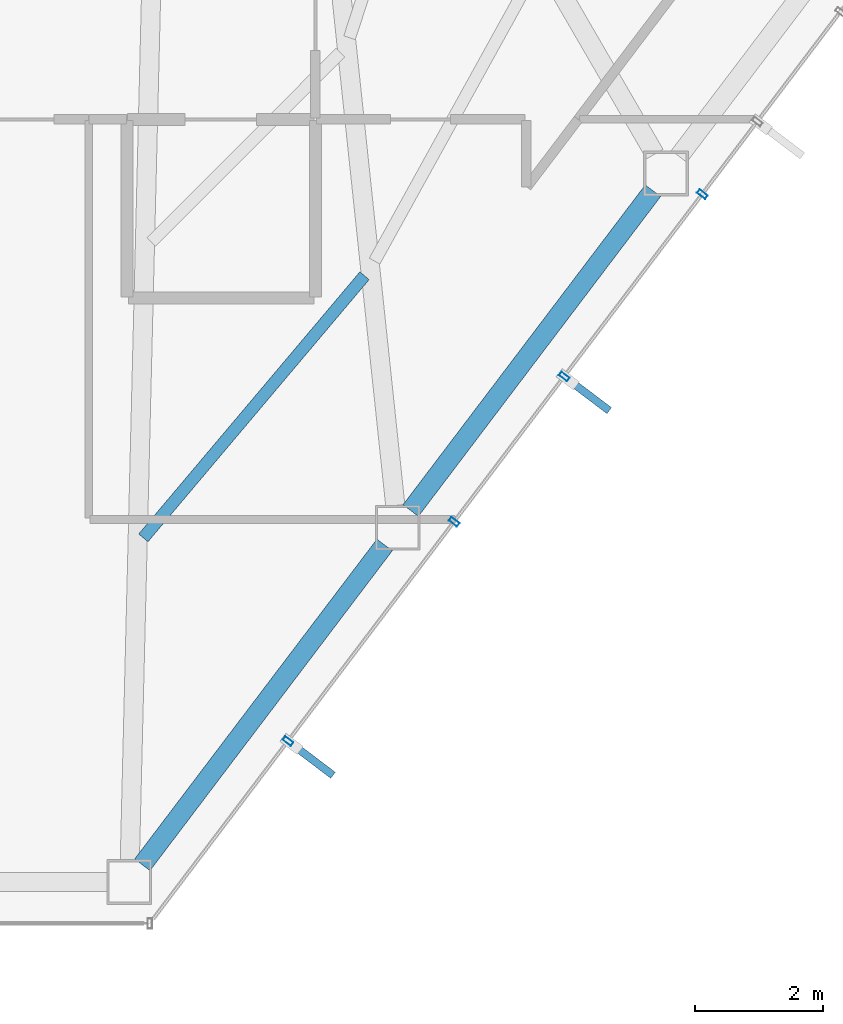
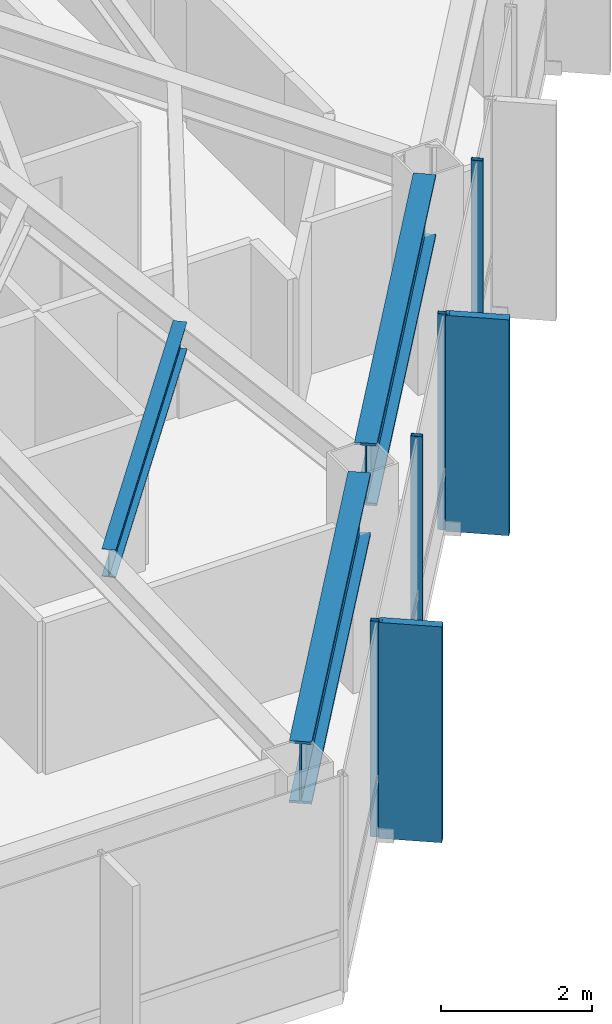
# One storey, part 16 of 27: 6 members, 3 beams, 1 element without a shape of its own.
"""IFC4 building model written with IfcOpenShell, lengths in metres."""

import ifcopenshell
import ifcopenshell.guid

model = None  # the IFC model being written
_history = None  # IfcOwnerHistory: only IFC2X3 demands one
_inside = {}  # id of a spatial element -> (the spatial element, [elements in it])
_under = {}  # id of a project, library or spatial element -> (it, [spatial elements below it])
_declared = {}  # id of a project -> (the project, [libraries it declares])
_typed = {}  # id of a type object -> (the type object, [elements of that type])
_made_of = {}  # id of a material, layer set ... -> (it, [elements and type objects made of it])


def new_model(schema):
    """Start an empty IFC model of exactly this schema.

    Asked for "IFC4X3", IfcOpenShell would pick the latest addendum, in which some entities
    have other attributes; the version numbers below select the first issue.
    IFC2X3 requires an IfcOwnerHistory on every rooted entity: one is made here for all.
    """
    global model, _history
    if schema == "IFC4X3":
        model = ifcopenshell.file(schema_version=(4, 3, 0, 0))
    else:
        model = ifcopenshell.file(schema=schema)
    _inside.clear()
    _under.clear()
    _declared.clear()
    _typed.clear()
    _made_of.clear()
    _history = None
    if model.schema == "IFC2X3":
        org = make("IfcOrganization", Name="unknown")
        user = make(
            "IfcPersonAndOrganization",
            ThePerson=make("IfcPerson", FamilyName="unknown"),
            TheOrganization=org,
        )
        app = make(
            "IfcApplication",
            ApplicationDeveloper=org,
            Version="unknown",
            ApplicationFullName="unknown",
            ApplicationIdentifier="unknown",
        )
        _history = make(
            "IfcOwnerHistory",
            OwningUser=user,
            OwningApplication=app,
            ChangeAction="ADDED",
            CreationDate=0,
        )
    return model


def make(cls, **values):
    """One entity of the class cls with the attributes given. An attribute that is None is left unset."""
    return model.create_entity(
        cls, **{name: value for name, value in values.items() if value is not None}
    )


def rooted(cls, **values):
    """An entity with a GlobalId (a new one), such as an element, a storey or a relation."""
    return make(cls, GlobalId=ifcopenshell.guid.new(), OwnerHistory=_history, **values)


def si_unit(unit_type, name, prefix=None):
    """IfcSIUnit, for example si_unit("LENGTHUNIT", "METRE", prefix="MILLI")."""
    return make("IfcSIUnit", UnitType=unit_type, Prefix=prefix, Name=name)


def assignment(units):
    """IfcUnitAssignment: the units of a project."""
    return None if units is None else make("IfcUnitAssignment", Units=units)


def point(xyz):
    """IfcCartesianPoint."""
    return None if xyz is None else make("IfcCartesianPoint", Coordinates=xyz)


def direction(xyz):
    """IfcDirection."""
    return None if xyz is None else make("IfcDirection", DirectionRatios=xyz)


def frame(location, z_axis=None, x_axis=None):
    """IfcAxis2Placement3D, a coordinate frame: its origin and axes. An axis left out is left unset."""
    return make(
        "IfcAxis2Placement3D",
        Location=point(location),
        Axis=direction(z_axis),
        RefDirection=direction(x_axis),
    )


def frame_2d(location, x_axis=None):
    """IfcAxis2Placement2D, a coordinate frame in the plane: its origin and x axis."""
    return make(
        "IfcAxis2Placement2D", Location=point(location), RefDirection=direction(x_axis)
    )


def origin():
    """The frame at (0, 0, 0) with its axes left unset."""
    return frame((0.0, 0.0, 0.0))


def origin_2d():
    """The frame at (0, 0) in the plane with its x axis left unset."""
    return frame_2d((0.0, 0.0))


def place(relative_to, where):
    """IfcLocalPlacement: puts the frame where relative to a parent placement (None: the world)."""
    return make(
        "IfcLocalPlacement", PlacementRelTo=relative_to, RelativePlacement=where
    )


def context(
    kind, dimensions, precision=None, world=None, true_north=None, identifier=None
):
    """IfcGeometricRepresentationContext, for example the 3D "Model" context."""
    return make(
        "IfcGeometricRepresentationContext",
        ContextIdentifier=identifier,
        ContextType=kind,
        CoordinateSpaceDimension=dimensions,
        Precision=precision,
        WorldCoordinateSystem=world,
        TrueNorth=true_north,
    )


def subcontext(parent, identifier, kind, view, scale=None):
    """IfcGeometricRepresentationSubContext, for example "Body" below "Model"."""
    return make(
        "IfcGeometricRepresentationSubContext",
        ContextIdentifier=identifier,
        ContextType=kind,
        ParentContext=parent,
        TargetScale=scale,
        TargetView=view,
    )


def project(units=None, contexts=None):
    """IfcProject with its units and contexts."""
    return rooted(
        "IfcProject",
        Name="project",
        RepresentationContexts=contexts,
        UnitsInContext=assignment(units),
    )


def spatial(cls, under=None, at=None, **own):
    """A site, building, storey or space (cls), placed at a placement, below another one or the project."""
    s = rooted(cls, ObjectPlacement=at, **own)
    if under is not None:
        _under.setdefault(under.id(), (under, []))[1].append(s)
    return s


def profile(cls, at=None, kind="AREA", **sizes):
    """A parametric profile (cls). Its sizes go by their IFC names, for example OverallWidth=200.0."""
    return make(cls, ProfileType=kind, Position=at, **sizes)


def rectangle(**sizes):
    """IfcRectangleProfileDef."""
    return profile("IfcRectangleProfileDef", **sizes)


def hollow_rectangle(**sizes):
    """IfcRectangleHollowProfileDef."""
    return profile("IfcRectangleHollowProfileDef", **sizes)


def i_section(**sizes):
    """IfcIShapeProfileDef."""
    return profile("IfcIShapeProfileDef", **sizes)


def extrude(swept, where, along, depth):
    """IfcExtrudedAreaSolid: the profile swept, set in the frame where, extruded along a direction by depth."""
    return make(
        "IfcExtrudedAreaSolid",
        SweptArea=swept,
        Position=where,
        ExtrudedDirection=direction(along),
        Depth=depth,
    )


def shape(context_of_items, identifier, shape_type, items):
    """IfcShapeRepresentation: the items that make up one representation, for example the "Body"."""
    return make(
        "IfcShapeRepresentation",
        ContextOfItems=context_of_items,
        RepresentationIdentifier=identifier,
        RepresentationType=shape_type,
        Items=items,
    )


def material(Name=None, Category=None):
    """IfcMaterial."""
    return make("IfcMaterial", Name=Name, Category=Category)


def layer(
    of_material, thickness, ventilated=None, Name=None, Category=None, Priority=None
):
    """IfcMaterialLayer: one layer of a wall or slab, of a material (None: an air gap)."""
    return make(
        "IfcMaterialLayer",
        Material=of_material,
        LayerThickness=thickness,
        IsVentilated=ventilated,
        Name=Name,
        Category=Category,
        Priority=Priority,
    )


def layer_set(layers, Name=None):
    """IfcMaterialLayerSet."""
    return make("IfcMaterialLayerSet", MaterialLayers=layers, LayerSetName=Name)


def material_profile(
    of_material, cross_section, Name=None, Category=None, Priority=None
):
    """IfcMaterialProfile: a cross section and its material."""
    return make(
        "IfcMaterialProfile",
        Name=Name,
        Material=of_material,
        Profile=cross_section,
        Priority=Priority,
        Category=Category,
    )


def profile_set(profiles, Name=None, composite=None):
    """IfcMaterialProfileSet."""
    return make(
        "IfcMaterialProfileSet",
        Name=Name,
        MaterialProfiles=profiles,
        CompositeProfile=composite,
    )


def made_of(thing, what):
    """Note that an element or type object is made of a material, layer set ...; save() writes the relation."""
    if what is not None:
        _made_of.setdefault(what.id(), (what, []))[1].append(thing)
    return thing


def type_object(cls, material=None, **own):
    """A type object (cls), such as IfcWallType, which elements share."""
    return made_of(rooted(cls, **own), material)


def element(
    cls,
    number,
    at=None,
    inside=None,
    cuts=None,
    type_object=None,
    material=None,
    context=None,
    identifier="Body",
    shape_type=None,
    held_by="IfcProductDefinitionShape",
    body=None,
    shapes=None,
    **own,
):
    """One element of the class cls, such as IfcWall. Its Tag is "e" and its number.

    at: its placement. inside: the storey or other place that contains it. cuts: it is an
    opening in that element (IfcRelVoidsElement). A single representation is given by context,
    identifier, shape_type and body (its items); several are given by shapes. held_by: the class
    of the entity that holds the representations. save() writes the other relations.
    """
    e = rooted(cls, Tag="e%d" % number, ObjectPlacement=at, **own)
    if body is not None:
        shapes = [shape(context, identifier, shape_type, body)]
    if shapes is not None:
        e.Representation = make(held_by, Representations=shapes)
    if inside is not None:
        _inside.setdefault(inside.id(), (inside, []))[1].append(e)
    if cuts is not None:
        rooted(
            "IfcRelVoidsElement", RelatingBuildingElement=cuts, RelatedOpeningElement=e
        )
    if type_object is not None:
        _typed.setdefault(type_object.id(), (type_object, []))[1].append(e)
    return made_of(e, material)


def aggregate(whole, parts):
    """IfcRelAggregates: a whole, such as a stair, and the parts it consists of."""
    return rooted("IfcRelAggregates", RelatingObject=whole, RelatedObjects=parts)


def save(model, path):
    """Write the relations noted so far, then the file.

    IfcRelAggregates (storeys below a building ...), IfcRelContainedInSpatialStructure (elements
    in a storey), IfcRelDefinesByType, IfcRelAssociatesMaterial and IfcRelDeclares: one each for
    every whole, place, type object, material and project.
    """
    for whole, parts in _under.values():
        aggregate(whole, parts)
    for where, things in _inside.values():
        rooted(
            "IfcRelContainedInSpatialStructure",
            RelatedElements=things,
            RelatingStructure=where,
        )
    for kind, things in _typed.values():
        rooted("IfcRelDefinesByType", RelatedObjects=things, RelatingType=kind)
    for what, things in _made_of.values():
        rooted("IfcRelAssociatesMaterial", RelatedObjects=things, RelatingMaterial=what)
    for by, libraries in _declared.values():
        rooted("IfcRelDeclares", RelatingContext=by, RelatedDefinitions=libraries)
    model.write(path)


model = new_model("IFC4")

# Units and contexts
model_context = context("Model", 3, precision=1e-05, world=origin(), true_north=direction((0.0, 1.0)))
body_context = subcontext(model_context, "Body", "Model", "MODEL_VIEW")
ifc_project = project(units=[si_unit("LENGTHUNIT", "METRE"), si_unit("AREAUNIT", "SQUARE_METRE"), si_unit("VOLUMEUNIT", "CUBIC_METRE"), si_unit("PLANEANGLEUNIT", "RADIAN"), si_unit("MASSUNIT", "GRAM", prefix="KILO")], contexts=[model_context])

# Site, building, storey
site_placement = place(None, origin())
site = spatial("IfcSite", under=ifc_project, at=site_placement, CompositionType="ELEMENT")
building_placement = place(site_placement, origin())
building = spatial("IfcBuilding", under=site, at=building_placement, Name="Zarrinselat Tower", CompositionType="ELEMENT")
storey_placement = place(building_placement, frame((0.0, 0.0, 175.780029296875)))
storey = spatial("IfcBuildingStorey", under=building, at=storey_placement, Name="L43", CompositionType="ELEMENT", Elevation=175.780029296875)

# Beams
ifc_material_1 = material(Name="Steel S460M", Category="steel")
ifc_material_profile_1 = material_profile(ifc_material_1, i_section(OverallWidth=0.302001953125, OverallDepth=1.008056640625, WebThickness=0.02099609375, FlangeThickness=0.0400390625, at=origin_2d()), Name="HEM 1000")
ifc_profile_set_1 = profile_set([ifc_material_profile_1], Name="Steel S460M")
beam_type_1 = type_object("IfcBeamType", Name="BM-HEM1000", PredefinedType="BEAM", material=ifc_profile_set_1)
beam_1_placement = place(storey_placement, frame((45.639404296875, 18.474609375, 2.995849609375), z_axis=(0.603871149651, 0.797081949751, 0.0), x_axis=(-0.797081949751, 0.603871149651, 0.0)))
element("IfcBeam", 1, at=beam_1_placement, inside=storey, type_object=beam_type_1, Name="L43 Perimeter Spandrel Girder SP11", PredefinedType="BEAM", context=body_context, shape_type="SweptSolid", body=[
    extrude(i_section(OverallWidth=0.302001953125, OverallDepth=1.008056640625, WebThickness=0.02099609375, FlangeThickness=0.0400390625, at=origin_2d()), origin(), (0.0, 0.0, 1.0), 6.28515625),
])
beam_2_placement = place(storey_placement, frame((49.843017578125, 24.023193359375, 2.995849609375), z_axis=(0.603840485401, 0.79710518013, 0.0), x_axis=(-0.79710518013, 0.603840485401, 0.0)))
element("IfcBeam", 2, at=beam_2_placement, inside=storey, type_object=beam_type_1, Name="L43 Perimeter Spandrel Girder SP12", PredefinedType="BEAM", context=body_context, shape_type="SweptSolid", body=[
    extrude(i_section(OverallWidth=0.302001953125, OverallDepth=1.008056640625, WebThickness=0.02099609375, FlangeThickness=0.0400390625, at=origin_2d()), origin(), (0.0, 0.0, 1.0), 6.28466796875),
])
ifc_material_2 = material(Name="Steel S355J2", Category="steel")
ifc_material_profile_2 = material_profile(ifc_material_2, i_section(OverallWidth=0.18994140625, OverallDepth=0.449951171875, WebThickness=0.009521484375, FlangeThickness=0.0146484375, at=origin_2d()), Name="IPE 450")
ifc_profile_set_2 = profile_set([ifc_material_profile_2], Name="Steel S355J2")
beam_type_2 = type_object("IfcBeamType", Name="BM-IPE450", PredefinedType="JOIST", material=ifc_profile_set_2)
beam_3_placement = place(storey_placement, frame((45.6552734375, 23.59521484375, 3.27490234375), z_axis=(0.644870109689, 0.764292183416, 0.0), x_axis=(-0.764292183416, 0.644870109689, 0.0)))
element("IfcBeam", 3, at=beam_3_placement, inside=storey, type_object=beam_type_2, Name="L43 Composite Floor Joist 3-1", PredefinedType="JOIST", context=body_context, shape_type="SweptSolid", body=[
    extrude(i_section(OverallWidth=0.18994140625, OverallDepth=0.449951171875, WebThickness=0.009521484375, FlangeThickness=0.0146484375, at=origin_2d()), origin(), (0.0, 0.0, 1.0), 5.37255859375),
])

# Curtain wall, members
ifc_material_3 = material(Name="Extruded Aluminium Alloy EN AW-6063 T6", Category="aluminium")
ifc_layer = layer(ifc_material_3, 0.175048828125)
ifc_layer_set = layer_set([ifc_layer], Name="Extruded Aluminium Alloy EN AW-6063 T6")
curtain_wall_type = type_object("IfcCurtainWallType", Name="CWS-HTL", PredefinedType="NOTDEFINED", material=ifc_layer_set)
curtain_wall_placement = place(storey_placement, origin())
curtain_wall = element("IfcCurtainWall", 4, at=curtain_wall_placement, inside=storey, type_object=curtain_wall_type, Name="L43 Unitised Curtain Wall CW-L43-E05", PredefinedType="NOTDEFINED")
ifc_material_4 = material(Name="Extruded Aluminium Alloy EN AW-6063 T6", Category="aluminium")
ifc_material_profile_3 = material_profile(ifc_material_4, hollow_rectangle(XDim=0.070068359375, YDim=0.159912109375, WallThickness=0.00390625, at=origin_2d()), Name="RHS 160x70x4")
ifc_profile_set_3 = profile_set([ifc_material_profile_3], Name="Extruded Aluminium Alloy EN AW-6063 T6")
member_type_1 = type_object("IfcMemberType", Name="MEM-CW-MUL2", PredefinedType="MULLION", material=ifc_profile_set_3)
member_1_placement = place(storey_placement, frame((47.921630859375, 20.410888671875, 0.0), z_axis=(0.0, 0.0, 1.0), x_axis=(0.603859165965, 0.797091028478, 0.0)))
member_1 = element("IfcMember", 5, at=member_1_placement, type_object=member_type_1, Name="CW-L43-E05 Mullion 1", PredefinedType="MULLION", context=body_context, shape_type="SweptSolid", body=[
    extrude(hollow_rectangle(XDim=0.070068359375, YDim=0.159912109375, WallThickness=0.00390625, at=origin_2d()), origin(), (0.0, 0.0, 1.0), 3.5),
])
member_2_placement = place(storey_placement, frame((50.5244140625, 23.846435546875, 0.0), z_axis=(0.0, 0.0, 1.0), x_axis=(0.603859165965, 0.797091028478, 0.0)))
member_2 = element("IfcMember", 6, at=member_2_placement, type_object=member_type_1, Name="CW-L43-E05 Mullion 2", PredefinedType="MULLION", context=body_context, shape_type="SweptSolid", body=[
    extrude(hollow_rectangle(XDim=0.070068359375, YDim=0.159912109375, WallThickness=0.00390625, at=origin_2d()), origin(), (0.0, 0.0, 1.0), 3.5),
])
member_3_placement = place(storey_placement, frame((52.248046875, 26.12158203125, 0.0), z_axis=(0.0, 0.0, 1.0), x_axis=(0.603859165965, 0.797091028478, 0.0)))
member_3 = element("IfcMember", 7, at=member_3_placement, type_object=member_type_1, Name="CW-L43-E05 Mullion 3", PredefinedType="MULLION", context=body_context, shape_type="SweptSolid", body=[
    extrude(hollow_rectangle(XDim=0.070068359375, YDim=0.159912109375, WallThickness=0.00390625, at=origin_2d()), origin(), (0.0, 0.0, 1.0), 3.5),
])
member_4_placement = place(storey_placement, frame((54.411376953125, 28.977294921875, 0.0), z_axis=(0.0, 0.0, 1.0), x_axis=(0.603859165965, 0.797091028478, 0.0)))
member_4 = element("IfcMember", 8, at=member_4_placement, type_object=member_type_1, Name="CW-L43-E05 Mullion 4", PredefinedType="MULLION", context=body_context, shape_type="SweptSolid", body=[
    extrude(hollow_rectangle(XDim=0.070068359375, YDim=0.159912109375, WallThickness=0.00390625, at=origin_2d()), origin(), (0.0, 0.0, 1.0), 3.5),
])
ifc_material_5 = material(Name="Honed Cream Travertine Stone", Category="masonry")
ifc_material_profile_4 = material_profile(ifc_material_5, rectangle(XDim=0.1201171875, YDim=0.85009765625, at=origin_2d()), Name="FIN 850x120")
ifc_profile_set_4 = profile_set([ifc_material_profile_4], Name="Honed Cream Travertine Stone")
member_type_2 = type_object("IfcMemberType", Name="MEM-STONE-FIN", PredefinedType="USERDEFINED", material=ifc_profile_set_4)
member_5_placement = place(storey_placement, frame((48.288330078125, 20.133056640625, 0.0), z_axis=(0.0, 0.0, 1.0), x_axis=(-0.603859165965, -0.797091028478, 0.0)))
member_5 = element("IfcMember", 9, at=member_5_placement, type_object=member_type_2, Name="L43 Stone Shading Fin CW-L43-E05-01", ObjectType="FIN", PredefinedType="USERDEFINED", context=body_context, shape_type="SweptSolid", body=[
    extrude(rectangle(XDim=0.1201171875, YDim=0.85009765625, at=origin_2d()), origin(), (0.0, 0.0, 1.0), 3.5),
])
member_6_placement = place(storey_placement, frame((52.61474609375, 25.843994140625, 0.0), z_axis=(0.0, 0.0, 1.0), x_axis=(-0.603859165965, -0.797091028478, 0.0)))
member_6 = element("IfcMember", 10, at=member_6_placement, type_object=member_type_2, Name="L43 Stone Shading Fin CW-L43-E05-03", ObjectType="FIN", PredefinedType="USERDEFINED", context=body_context, shape_type="SweptSolid", body=[
    extrude(rectangle(XDim=0.1201171875, YDim=0.85009765625, at=origin_2d()), origin(), (0.0, 0.0, 1.0), 3.5),
])
aggregate(curtain_wall, [member_1, member_5, member_2, member_3, member_6, member_4])

save(model, "model.ifc")
